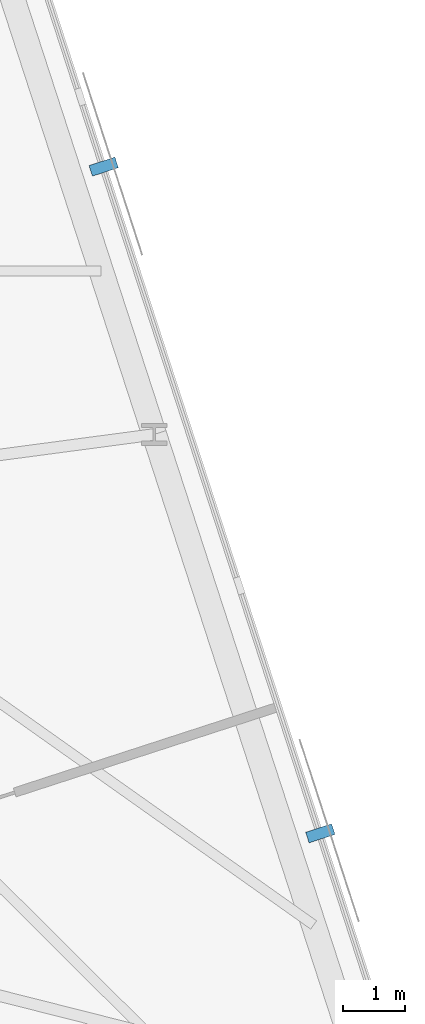
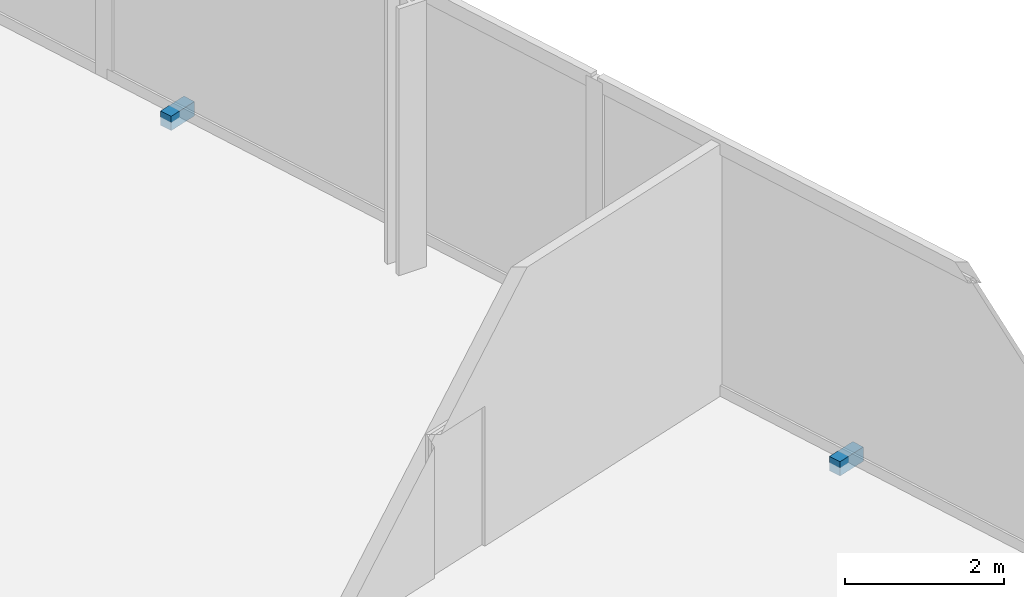
# One storey, part 13 of 14: 2 discrete accessories.
"""IFC4 building model written with IfcOpenShell, lengths in metres."""

from ifc_helpers import new_model, si_unit, direction, frame, origin, origin_2d, place, context, subcontext, project, spatial, rectangle, extrude, material, type_object, element, save


model = new_model("IFC4")

# Units and contexts
model_context = context("Model", 3, precision=1e-05, world=origin(), true_north=direction((0.0, 1.0)))
body_context = subcontext(model_context, "Body", "Model", "MODEL_VIEW")
ifc_project = project(units=[si_unit("LENGTHUNIT", "METRE"), si_unit("AREAUNIT", "SQUARE_METRE"), si_unit("VOLUMEUNIT", "CUBIC_METRE"), si_unit("PLANEANGLEUNIT", "RADIAN"), si_unit("MASSUNIT", "GRAM", prefix="KILO")], contexts=[model_context])

# Site, building, storey
site_placement = place(None, origin())
site = spatial("IfcSite", under=ifc_project, at=site_placement, CompositionType="ELEMENT")
building_placement = place(site_placement, origin())
building = spatial("IfcBuilding", under=site, at=building_placement, Name="Menara Jurai Vektor", CompositionType="ELEMENT")
storey_placement = place(building_placement, frame((0.0, 0.0, 206.800048828125)))
storey = spatial("IfcBuildingStorey", under=building, at=storey_placement, Name="L54", CompositionType="ELEMENT", Elevation=206.800048828125)

# Discrete accessories
ifc_material = material(Name="Steel S355", Category="steel")
discrete_accessory_type = type_object("IfcDiscreteAccessoryType", Name="ENV-ACC-BRACKET", PredefinedType="BRACKET", material=ifc_material)
for number, where, z_axis, x_axis, name in (
    (1, (30.76220703125, -4.527587890625, -0.1298828125), (0.0, 0.0, 1.0), (-0.309016994375, 0.951056516295, 0.0), "Solar Screen Stand-Off Bracket L54-S05"),
    (2, (27.260009765625, 6.2509765625, -0.1298828125), (0.0, 0.0, 1.0), (-0.309016994375, 0.951056516295, 0.0), "Solar Screen Stand-Off Bracket L54-S06"),
):
    element("IfcDiscreteAccessory", number, at=place(storey_placement, frame(where, z_axis=z_axis, x_axis=x_axis)), inside=storey, type_object=discrete_accessory_type, Name=name, PredefinedType="BRACKET", context=body_context, shape_type="SweptSolid", body=[
        extrude(rectangle(XDim=0.179931640625, YDim=0.43994140625, at=origin_2d()), origin(), (0.0, 0.0, 1.0), 0.219970703125),
    ])

save(model, "model.ifc")
